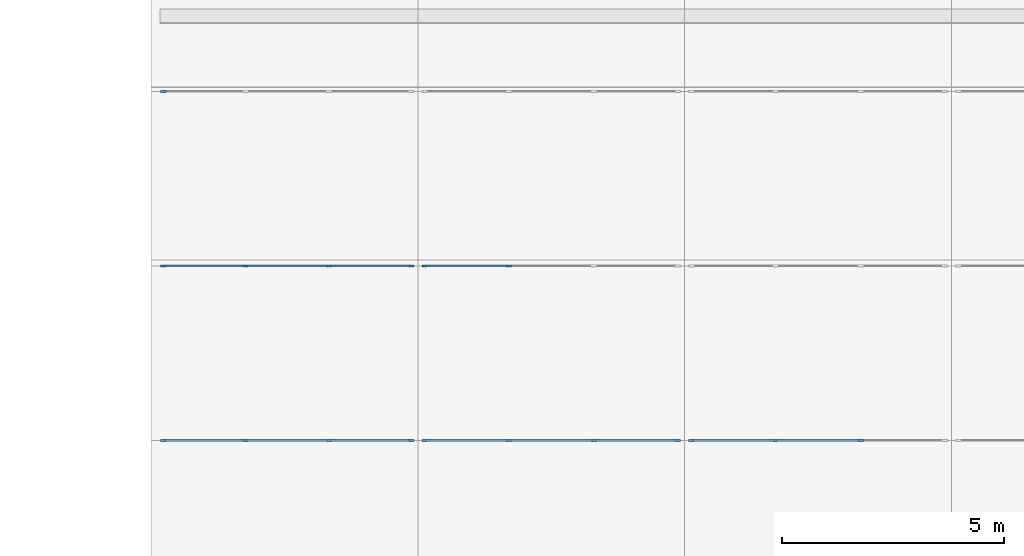
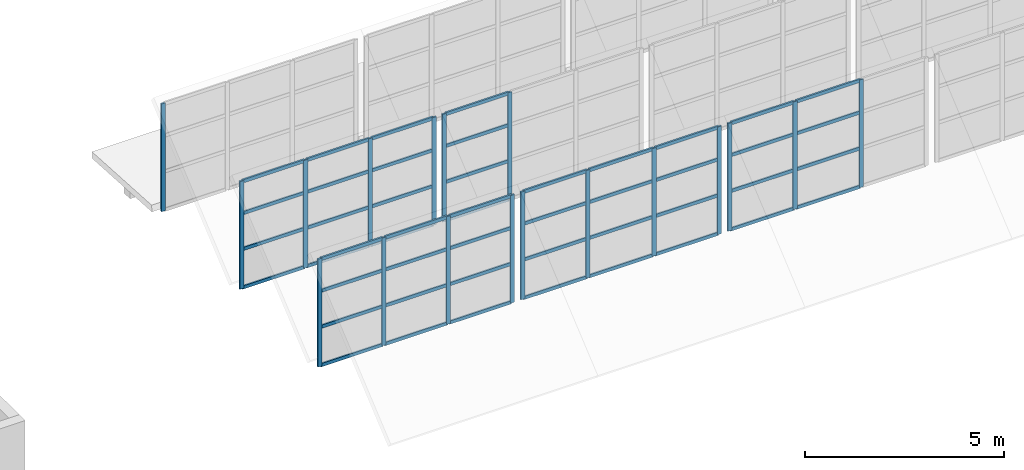
# One storey, part 25 of 122: 66 members, 6 elements without a shape of their own.
"""IFC4 building model written with IfcOpenShell, lengths in metres."""

from ifc_helpers import new_model, si_unit, direction, frame, origin, origin_2d, place, context, subcontext, project, spatial, rectangle, extrude, material, layer, layer_set, material_profile, profile_set, type_object, element, aggregate, save


model = new_model("IFC4")

# Units and contexts
model_context = context("Model", 3, precision=1e-05, world=origin(), true_north=direction((0.0, 1.0)))
body_context = subcontext(model_context, "Body", "Model", "MODEL_VIEW")
ifc_project = project(units=[si_unit("LENGTHUNIT", "METRE"), si_unit("AREAUNIT", "SQUARE_METRE"), si_unit("VOLUMEUNIT", "CUBIC_METRE"), si_unit("PLANEANGLEUNIT", "RADIAN"), si_unit("MASSUNIT", "GRAM", prefix="KILO")], contexts=[model_context])

# Site, building, storey
site_placement = place(None, origin())
site = spatial("IfcSite", under=ifc_project, at=site_placement, CompositionType="ELEMENT")
building_placement = place(site_placement, origin())
building = spatial("IfcBuilding", under=site, at=building_placement, Name="Ridgestep Commons", CompositionType="ELEMENT")
storey_placement = place(building_placement, frame((0.0, 0.0, 3.0)))
storey = spatial("IfcBuildingStorey", under=building, at=storey_placement, Name="L01", CompositionType="ELEMENT", Elevation=3.0)

# Curtain wall, members
ifc_material_1 = material(Name="Aluminium and glass", Category="aluminium")
ifc_layer = layer(ifc_material_1, 0.14990234375)
ifc_layer_set = layer_set([ifc_layer], Name="Shop clerestory curtain wall")
curtain_wall_type = type_object("IfcCurtainWallType", Name="Shop clerestory curtain wall", PredefinedType="NOTDEFINED", material=ifc_layer_set)
curtain_wall_1_placement = place(storey_placement, origin())
curtain_wall_1 = element("IfcCurtainWall", 1, at=curtain_wall_1_placement, inside=storey, type_object=curtain_wall_type, Name="Shop clerestory curtain wall", PredefinedType="NOTDEFINED")
ifc_material_2 = material(Name="Aluminium", Category="aluminium")
ifc_material_profile_1 = material_profile(ifc_material_2, rectangle(XDim=0.050048828125, YDim=0.1201171875, at=origin_2d()), Name="Shop clerestory mullion 50 x 120")
ifc_profile_set_1 = profile_set([ifc_material_profile_1], Name="Aluminium")
member_type_1 = type_object("IfcMemberType", Name="Shop clerestory mullion 50 x 120", PredefinedType="MULLION", material=ifc_profile_set_1)
member_1_placement = place(storey_placement, frame((176.074951171875, 38.050048828125, 1.199951171875), z_axis=(0.0, 0.0, 1.0), x_axis=(0.0, 1.0, 0.0)))
member_1 = element("IfcMember", 2, at=member_1_placement, type_object=member_type_1, Name="CW5 mullion 1", PredefinedType="MULLION", context=body_context, shape_type="SweptSolid", body=[
    extrude(rectangle(XDim=0.050048828125, YDim=0.1201171875, at=origin_2d()), origin(), (0.0, 0.0, 1.0), 3.300048828125),
])
member_2_placement = place(storey_placement, frame((177.925048828125, 38.050048828125, 1.199951171875), z_axis=(0.0, 0.0, 1.0), x_axis=(0.0, 1.0, 0.0)))
member_2 = element("IfcMember", 3, at=member_2_placement, type_object=member_type_1, Name="CW5 mullion 2", PredefinedType="MULLION", context=body_context, shape_type="SweptSolid", body=[
    extrude(rectangle(XDim=0.050048828125, YDim=0.1201171875, at=origin_2d()), origin(), (0.0, 0.0, 1.0), 3.300048828125),
])
member_3_placement = place(storey_placement, frame((179.800048828125, 38.050048828125, 1.199951171875), z_axis=(0.0, 0.0, 1.0), x_axis=(0.0, 1.0, 0.0)))
member_3 = element("IfcMember", 4, at=member_3_placement, type_object=member_type_1, Name="CW5 mullion 3", PredefinedType="MULLION", context=body_context, shape_type="SweptSolid", body=[
    extrude(rectangle(XDim=0.050048828125, YDim=0.1201171875, at=origin_2d()), origin(), (0.0, 0.0, 1.0), 3.300048828125),
])
member_4_placement = place(storey_placement, frame((181.64990234375, 38.050048828125, 1.199951171875), z_axis=(0.0, 0.0, 1.0), x_axis=(0.0, 1.0, 0.0)))
member_4 = element("IfcMember", 5, at=member_4_placement, type_object=member_type_1, Name="CW5 mullion 4", PredefinedType="MULLION", context=body_context, shape_type="SweptSolid", body=[
    extrude(rectangle(XDim=0.050048828125, YDim=0.1201171875, at=origin_2d()), origin(), (0.0, 0.0, 1.0), 3.300048828125),
])

curtain_wall_2_placement = place(storey_placement, origin())
curtain_wall_2 = element("IfcCurtainWall", 6, at=curtain_wall_2_placement, inside=storey, type_object=curtain_wall_type, Name="Shop clerestory curtain wall", PredefinedType="NOTDEFINED")
member_5_placement = place(storey_placement, frame((176.074951171875, 41.97509765625, 1.199951171875), z_axis=(0.0, 0.0, 1.0), x_axis=(0.0, 1.0, 0.0)))
member_5 = element("IfcMember", 7, at=member_5_placement, type_object=member_type_1, Name="CW5 mullion 1", PredefinedType="MULLION", context=body_context, shape_type="SweptSolid", body=[
    extrude(rectangle(XDim=0.050048828125, YDim=0.1201171875, at=origin_2d()), origin(), (0.0, 0.0, 1.0), 3.300048828125),
])
member_6_placement = place(storey_placement, frame((177.925048828125, 41.97509765625, 1.199951171875), z_axis=(0.0, 0.0, 1.0), x_axis=(0.0, 1.0, 0.0)))
member_6 = element("IfcMember", 8, at=member_6_placement, type_object=member_type_1, Name="CW5 mullion 2", PredefinedType="MULLION", context=body_context, shape_type="SweptSolid", body=[
    extrude(rectangle(XDim=0.050048828125, YDim=0.1201171875, at=origin_2d()), origin(), (0.0, 0.0, 1.0), 3.300048828125),
])
member_7_placement = place(storey_placement, frame((179.800048828125, 41.97509765625, 1.199951171875), z_axis=(0.0, 0.0, 1.0), x_axis=(0.0, 1.0, 0.0)))
member_7 = element("IfcMember", 9, at=member_7_placement, type_object=member_type_1, Name="CW5 mullion 3", PredefinedType="MULLION", context=body_context, shape_type="SweptSolid", body=[
    extrude(rectangle(XDim=0.050048828125, YDim=0.1201171875, at=origin_2d()), origin(), (0.0, 0.0, 1.0), 3.300048828125),
])
member_8_placement = place(storey_placement, frame((181.64990234375, 41.97509765625, 1.199951171875), z_axis=(0.0, 0.0, 1.0), x_axis=(0.0, 1.0, 0.0)))
member_8 = element("IfcMember", 10, at=member_8_placement, type_object=member_type_1, Name="CW5 mullion 4", PredefinedType="MULLION", context=body_context, shape_type="SweptSolid", body=[
    extrude(rectangle(XDim=0.050048828125, YDim=0.1201171875, at=origin_2d()), origin(), (0.0, 0.0, 1.0), 3.300048828125),
])

# Curtain wall, member
curtain_wall_3_placement = place(storey_placement, origin())
curtain_wall_3 = element("IfcCurtainWall", 11, at=curtain_wall_3_placement, inside=storey, type_object=curtain_wall_type, Name="Shop clerestory curtain wall", PredefinedType="NOTDEFINED")
member_9_placement = place(storey_placement, frame((176.074951171875, 45.89990234375, 1.199951171875), z_axis=(0.0, 0.0, 1.0), x_axis=(0.0, 1.0, 0.0)))
member_9 = element("IfcMember", 12, at=member_9_placement, type_object=member_type_1, Name="CW5 mullion 1", PredefinedType="MULLION", context=body_context, shape_type="SweptSolid", body=[
    extrude(rectangle(XDim=0.050048828125, YDim=0.1201171875, at=origin_2d()), origin(), (0.0, 0.0, 1.0), 3.300048828125),
])
aggregate(curtain_wall_3, [member_9])

# Curtain wall, members
curtain_wall_4_placement = place(storey_placement, origin())
curtain_wall_4 = element("IfcCurtainWall", 13, at=curtain_wall_4_placement, inside=storey, type_object=curtain_wall_type, Name="Shop clerestory curtain wall", PredefinedType="NOTDEFINED")
member_10_placement = place(storey_placement, frame((181.949951171875, 38.050048828125, 1.199951171875), z_axis=(0.0, 0.0, 1.0), x_axis=(0.0, 1.0, 0.0)))
member_10 = element("IfcMember", 14, at=member_10_placement, type_object=member_type_1, Name="CW5 mullion 1", PredefinedType="MULLION", context=body_context, shape_type="SweptSolid", body=[
    extrude(rectangle(XDim=0.050048828125, YDim=0.1201171875, at=origin_2d()), origin(), (0.0, 0.0, 1.0), 3.300048828125),
])
member_11_placement = place(storey_placement, frame((183.841552734375, 38.050048828125, 1.199951171875), z_axis=(0.0, 0.0, 1.0), x_axis=(0.0, 1.0, 0.0)))
member_11 = element("IfcMember", 15, at=member_11_placement, type_object=member_type_1, Name="CW5 mullion 2", PredefinedType="MULLION", context=body_context, shape_type="SweptSolid", body=[
    extrude(rectangle(XDim=0.050048828125, YDim=0.1201171875, at=origin_2d()), origin(), (0.0, 0.0, 1.0), 3.300048828125),
])
member_12_placement = place(storey_placement, frame((185.75830078125, 38.050048828125, 1.199951171875), z_axis=(0.0, 0.0, 1.0), x_axis=(0.0, 1.0, 0.0)))
member_12 = element("IfcMember", 16, at=member_12_placement, type_object=member_type_1, Name="CW5 mullion 3", PredefinedType="MULLION", context=body_context, shape_type="SweptSolid", body=[
    extrude(rectangle(XDim=0.050048828125, YDim=0.1201171875, at=origin_2d()), origin(), (0.0, 0.0, 1.0), 3.300048828125),
])
member_13_placement = place(storey_placement, frame((187.64990234375, 38.050048828125, 1.199951171875), z_axis=(0.0, 0.0, 1.0), x_axis=(0.0, 1.0, 0.0)))
member_13 = element("IfcMember", 17, at=member_13_placement, type_object=member_type_1, Name="CW5 mullion 4", PredefinedType="MULLION", context=body_context, shape_type="SweptSolid", body=[
    extrude(rectangle(XDim=0.050048828125, YDim=0.1201171875, at=origin_2d()), origin(), (0.0, 0.0, 1.0), 3.300048828125),
])

curtain_wall_5_placement = place(storey_placement, origin())
curtain_wall_5 = element("IfcCurtainWall", 18, at=curtain_wall_5_placement, inside=storey, type_object=curtain_wall_type, Name="Shop clerestory curtain wall", PredefinedType="NOTDEFINED")
member_14_placement = place(storey_placement, frame((181.949951171875, 41.97509765625, 1.199951171875), z_axis=(0.0, 0.0, 1.0), x_axis=(0.0, 1.0, 0.0)))
member_14 = element("IfcMember", 19, at=member_14_placement, type_object=member_type_1, Name="CW5 mullion 1", PredefinedType="MULLION", context=body_context, shape_type="SweptSolid", body=[
    extrude(rectangle(XDim=0.050048828125, YDim=0.1201171875, at=origin_2d()), origin(), (0.0, 0.0, 1.0), 3.300048828125),
])
member_15_placement = place(storey_placement, frame((183.841552734375, 41.97509765625, 1.199951171875), z_axis=(0.0, 0.0, 1.0), x_axis=(0.0, 1.0, 0.0)))
member_15 = element("IfcMember", 20, at=member_15_placement, type_object=member_type_1, Name="CW5 mullion 2", PredefinedType="MULLION", context=body_context, shape_type="SweptSolid", body=[
    extrude(rectangle(XDim=0.050048828125, YDim=0.1201171875, at=origin_2d()), origin(), (0.0, 0.0, 1.0), 3.300048828125),
])

curtain_wall_6_placement = place(storey_placement, origin())
curtain_wall_6 = element("IfcCurtainWall", 21, at=curtain_wall_6_placement, inside=storey, type_object=curtain_wall_type, Name="Shop clerestory curtain wall", PredefinedType="NOTDEFINED")
member_16_placement = place(storey_placement, frame((187.949951171875, 38.050048828125, 1.199951171875), z_axis=(0.0, 0.0, 1.0), x_axis=(0.0, 1.0, 0.0)))
member_16 = element("IfcMember", 22, at=member_16_placement, type_object=member_type_1, Name="CW5 mullion 1", PredefinedType="MULLION", context=body_context, shape_type="SweptSolid", body=[
    extrude(rectangle(XDim=0.050048828125, YDim=0.1201171875, at=origin_2d()), origin(), (0.0, 0.0, 1.0), 3.300048828125),
])
member_17_placement = place(storey_placement, frame((189.841552734375, 38.050048828125, 1.199951171875), z_axis=(0.0, 0.0, 1.0), x_axis=(0.0, 1.0, 0.0)))
member_17 = element("IfcMember", 23, at=member_17_placement, type_object=member_type_1, Name="CW5 mullion 2", PredefinedType="MULLION", context=body_context, shape_type="SweptSolid", body=[
    extrude(rectangle(XDim=0.050048828125, YDim=0.1201171875, at=origin_2d()), origin(), (0.0, 0.0, 1.0), 3.300048828125),
])
member_18_placement = place(storey_placement, frame((191.75830078125, 38.050048828125, 1.199951171875), z_axis=(0.0, 0.0, 1.0), x_axis=(0.0, 1.0, 0.0)))
member_18 = element("IfcMember", 24, at=member_18_placement, type_object=member_type_1, Name="CW5 mullion 3", PredefinedType="MULLION", context=body_context, shape_type="SweptSolid", body=[
    extrude(rectangle(XDim=0.050048828125, YDim=0.1201171875, at=origin_2d()), origin(), (0.0, 0.0, 1.0), 3.300048828125),
])

# Member
ifc_material_3 = material(Name="Aluminium", Category="aluminium")
ifc_material_profile_2 = material_profile(ifc_material_3, rectangle(XDim=0.050048828125, YDim=0.10009765625, at=origin_2d()), Name="Shop clerestory transom 50 x 100")
ifc_profile_set_2 = profile_set([ifc_material_profile_2], Name="Aluminium")
member_type_2 = type_object("IfcMemberType", Name="Shop clerestory transom 50 x 100", PredefinedType="USERDEFINED", material=ifc_profile_set_2)
member_19_placement = place(storey_placement, frame((176.10009765625, 38.050048828125, 1.22509765625), z_axis=(1.0, 0.0, 0.0), x_axis=(0.0, 1.0, 0.0)))
member_19 = element("IfcMember", 25, at=member_19_placement, type_object=member_type_2, Name="CW5 transom 1.1", ObjectType="TRANSOM", PredefinedType="USERDEFINED", context=body_context, shape_type="SweptSolid", body=[
    extrude(rectangle(XDim=0.050048828125, YDim=0.10009765625, at=origin_2d()), origin(), (0.0, 0.0, 1.0), 1.7998046875),
])

member_20_placement = place(storey_placement, frame((176.10009765625, 38.050048828125, 2.39990234375), z_axis=(1.0, 0.0, 0.0), x_axis=(0.0, 1.0, 0.0)))
member_20 = element("IfcMember", 26, at=member_20_placement, type_object=member_type_2, Name="CW5 transom 1.2", ObjectType="TRANSOM", PredefinedType="USERDEFINED", context=body_context, shape_type="SweptSolid", body=[
    extrude(rectangle(XDim=0.050048828125, YDim=0.10009765625, at=origin_2d()), origin(), (0.0, 0.0, 1.0), 1.7998046875),
])

member_21_placement = place(storey_placement, frame((176.10009765625, 38.050048828125, 3.5), z_axis=(1.0, 0.0, 0.0), x_axis=(0.0, 1.0, 0.0)))
member_21 = element("IfcMember", 27, at=member_21_placement, type_object=member_type_2, Name="CW5 transom 1.3", ObjectType="TRANSOM", PredefinedType="USERDEFINED", context=body_context, shape_type="SweptSolid", body=[
    extrude(rectangle(XDim=0.050048828125, YDim=0.10009765625, at=origin_2d()), origin(), (0.0, 0.0, 1.0), 1.7998046875),
])

member_22_placement = place(storey_placement, frame((176.10009765625, 38.050048828125, 4.47509765625), z_axis=(1.0, 0.0, 0.0), x_axis=(0.0, 1.0, 0.0)))
member_22 = element("IfcMember", 28, at=member_22_placement, type_object=member_type_2, Name="CW5 transom 1.4", ObjectType="TRANSOM", PredefinedType="USERDEFINED", context=body_context, shape_type="SweptSolid", body=[
    extrude(rectangle(XDim=0.050048828125, YDim=0.10009765625, at=origin_2d()), origin(), (0.0, 0.0, 1.0), 1.7998046875),
])

member_23_placement = place(storey_placement, frame((177.949951171875, 38.050048828125, 1.22509765625), z_axis=(1.0, 0.0, 0.0), x_axis=(0.0, 1.0, 0.0)))
member_23 = element("IfcMember", 29, at=member_23_placement, type_object=member_type_2, Name="CW5 transom 2.1", ObjectType="TRANSOM", PredefinedType="USERDEFINED", context=body_context, shape_type="SweptSolid", body=[
    extrude(rectangle(XDim=0.050048828125, YDim=0.10009765625, at=origin_2d()), origin(), (0.0, 0.0, 1.0), 1.824951171875),
])

member_24_placement = place(storey_placement, frame((177.949951171875, 38.050048828125, 2.39990234375), z_axis=(1.0, 0.0, 0.0), x_axis=(0.0, 1.0, 0.0)))
member_24 = element("IfcMember", 30, at=member_24_placement, type_object=member_type_2, Name="CW5 transom 2.2", ObjectType="TRANSOM", PredefinedType="USERDEFINED", context=body_context, shape_type="SweptSolid", body=[
    extrude(rectangle(XDim=0.050048828125, YDim=0.10009765625, at=origin_2d()), origin(), (0.0, 0.0, 1.0), 1.824951171875),
])

member_25_placement = place(storey_placement, frame((177.949951171875, 38.050048828125, 3.5), z_axis=(1.0, 0.0, 0.0), x_axis=(0.0, 1.0, 0.0)))
member_25 = element("IfcMember", 31, at=member_25_placement, type_object=member_type_2, Name="CW5 transom 2.3", ObjectType="TRANSOM", PredefinedType="USERDEFINED", context=body_context, shape_type="SweptSolid", body=[
    extrude(rectangle(XDim=0.050048828125, YDim=0.10009765625, at=origin_2d()), origin(), (0.0, 0.0, 1.0), 1.824951171875),
])

member_26_placement = place(storey_placement, frame((177.949951171875, 38.050048828125, 4.47509765625), z_axis=(1.0, 0.0, 0.0), x_axis=(0.0, 1.0, 0.0)))
member_26 = element("IfcMember", 32, at=member_26_placement, type_object=member_type_2, Name="CW5 transom 2.4", ObjectType="TRANSOM", PredefinedType="USERDEFINED", context=body_context, shape_type="SweptSolid", body=[
    extrude(rectangle(XDim=0.050048828125, YDim=0.10009765625, at=origin_2d()), origin(), (0.0, 0.0, 1.0), 1.824951171875),
])

member_27_placement = place(storey_placement, frame((179.824951171875, 38.050048828125, 1.22509765625), z_axis=(1.0, 0.0, 0.0), x_axis=(0.0, 1.0, 0.0)))
member_27 = element("IfcMember", 33, at=member_27_placement, type_object=member_type_2, Name="CW5 transom 3.1", ObjectType="TRANSOM", PredefinedType="USERDEFINED", context=body_context, shape_type="SweptSolid", body=[
    extrude(rectangle(XDim=0.050048828125, YDim=0.10009765625, at=origin_2d()), origin(), (0.0, 0.0, 1.0), 1.800048828125),
])

member_28_placement = place(storey_placement, frame((179.824951171875, 38.050048828125, 2.39990234375), z_axis=(1.0, 0.0, 0.0), x_axis=(0.0, 1.0, 0.0)))
member_28 = element("IfcMember", 34, at=member_28_placement, type_object=member_type_2, Name="CW5 transom 3.2", ObjectType="TRANSOM", PredefinedType="USERDEFINED", context=body_context, shape_type="SweptSolid", body=[
    extrude(rectangle(XDim=0.050048828125, YDim=0.10009765625, at=origin_2d()), origin(), (0.0, 0.0, 1.0), 1.800048828125),
])

member_29_placement = place(storey_placement, frame((179.824951171875, 38.050048828125, 3.5), z_axis=(1.0, 0.0, 0.0), x_axis=(0.0, 1.0, 0.0)))
member_29 = element("IfcMember", 35, at=member_29_placement, type_object=member_type_2, Name="CW5 transom 3.3", ObjectType="TRANSOM", PredefinedType="USERDEFINED", context=body_context, shape_type="SweptSolid", body=[
    extrude(rectangle(XDim=0.050048828125, YDim=0.10009765625, at=origin_2d()), origin(), (0.0, 0.0, 1.0), 1.800048828125),
])

member_30_placement = place(storey_placement, frame((179.824951171875, 38.050048828125, 4.47509765625), z_axis=(1.0, 0.0, 0.0), x_axis=(0.0, 1.0, 0.0)))
member_30 = element("IfcMember", 36, at=member_30_placement, type_object=member_type_2, Name="CW5 transom 3.4", ObjectType="TRANSOM", PredefinedType="USERDEFINED", context=body_context, shape_type="SweptSolid", body=[
    extrude(rectangle(XDim=0.050048828125, YDim=0.10009765625, at=origin_2d()), origin(), (0.0, 0.0, 1.0), 1.800048828125),
])

aggregate(curtain_wall_1, [member_1, member_2, member_3, member_4, member_19, member_20, member_21, member_22, member_23, member_24, member_25, member_26, member_27, member_28, member_29, member_30])

member_31_placement = place(storey_placement, frame((176.10009765625, 41.97509765625, 1.22509765625), z_axis=(1.0, 0.0, 0.0), x_axis=(0.0, 1.0, 0.0)))
member_31 = element("IfcMember", 37, at=member_31_placement, type_object=member_type_2, Name="CW5 transom 1.1", ObjectType="TRANSOM", PredefinedType="USERDEFINED", context=body_context, shape_type="SweptSolid", body=[
    extrude(rectangle(XDim=0.050048828125, YDim=0.10009765625, at=origin_2d()), origin(), (0.0, 0.0, 1.0), 1.7998046875),
])

member_32_placement = place(storey_placement, frame((176.10009765625, 41.97509765625, 2.39990234375), z_axis=(1.0, 0.0, 0.0), x_axis=(0.0, 1.0, 0.0)))
member_32 = element("IfcMember", 38, at=member_32_placement, type_object=member_type_2, Name="CW5 transom 1.2", ObjectType="TRANSOM", PredefinedType="USERDEFINED", context=body_context, shape_type="SweptSolid", body=[
    extrude(rectangle(XDim=0.050048828125, YDim=0.10009765625, at=origin_2d()), origin(), (0.0, 0.0, 1.0), 1.7998046875),
])

member_33_placement = place(storey_placement, frame((176.10009765625, 41.97509765625, 3.5), z_axis=(1.0, 0.0, 0.0), x_axis=(0.0, 1.0, 0.0)))
member_33 = element("IfcMember", 39, at=member_33_placement, type_object=member_type_2, Name="CW5 transom 1.3", ObjectType="TRANSOM", PredefinedType="USERDEFINED", context=body_context, shape_type="SweptSolid", body=[
    extrude(rectangle(XDim=0.050048828125, YDim=0.10009765625, at=origin_2d()), origin(), (0.0, 0.0, 1.0), 1.7998046875),
])

member_34_placement = place(storey_placement, frame((176.10009765625, 41.97509765625, 4.47509765625), z_axis=(1.0, 0.0, 0.0), x_axis=(0.0, 1.0, 0.0)))
member_34 = element("IfcMember", 40, at=member_34_placement, type_object=member_type_2, Name="CW5 transom 1.4", ObjectType="TRANSOM", PredefinedType="USERDEFINED", context=body_context, shape_type="SweptSolid", body=[
    extrude(rectangle(XDim=0.050048828125, YDim=0.10009765625, at=origin_2d()), origin(), (0.0, 0.0, 1.0), 1.7998046875),
])

member_35_placement = place(storey_placement, frame((177.949951171875, 41.97509765625, 1.22509765625), z_axis=(1.0, 0.0, 0.0), x_axis=(0.0, 1.0, 0.0)))
member_35 = element("IfcMember", 41, at=member_35_placement, type_object=member_type_2, Name="CW5 transom 2.1", ObjectType="TRANSOM", PredefinedType="USERDEFINED", context=body_context, shape_type="SweptSolid", body=[
    extrude(rectangle(XDim=0.050048828125, YDim=0.10009765625, at=origin_2d()), origin(), (0.0, 0.0, 1.0), 1.824951171875),
])

member_36_placement = place(storey_placement, frame((177.949951171875, 41.97509765625, 2.39990234375), z_axis=(1.0, 0.0, 0.0), x_axis=(0.0, 1.0, 0.0)))
member_36 = element("IfcMember", 42, at=member_36_placement, type_object=member_type_2, Name="CW5 transom 2.2", ObjectType="TRANSOM", PredefinedType="USERDEFINED", context=body_context, shape_type="SweptSolid", body=[
    extrude(rectangle(XDim=0.050048828125, YDim=0.10009765625, at=origin_2d()), origin(), (0.0, 0.0, 1.0), 1.824951171875),
])

member_37_placement = place(storey_placement, frame((177.949951171875, 41.97509765625, 3.5), z_axis=(1.0, 0.0, 0.0), x_axis=(0.0, 1.0, 0.0)))
member_37 = element("IfcMember", 43, at=member_37_placement, type_object=member_type_2, Name="CW5 transom 2.3", ObjectType="TRANSOM", PredefinedType="USERDEFINED", context=body_context, shape_type="SweptSolid", body=[
    extrude(rectangle(XDim=0.050048828125, YDim=0.10009765625, at=origin_2d()), origin(), (0.0, 0.0, 1.0), 1.824951171875),
])

member_38_placement = place(storey_placement, frame((177.949951171875, 41.97509765625, 4.47509765625), z_axis=(1.0, 0.0, 0.0), x_axis=(0.0, 1.0, 0.0)))
member_38 = element("IfcMember", 44, at=member_38_placement, type_object=member_type_2, Name="CW5 transom 2.4", ObjectType="TRANSOM", PredefinedType="USERDEFINED", context=body_context, shape_type="SweptSolid", body=[
    extrude(rectangle(XDim=0.050048828125, YDim=0.10009765625, at=origin_2d()), origin(), (0.0, 0.0, 1.0), 1.824951171875),
])

member_39_placement = place(storey_placement, frame((179.824951171875, 41.97509765625, 1.22509765625), z_axis=(1.0, 0.0, 0.0), x_axis=(0.0, 1.0, 0.0)))
member_39 = element("IfcMember", 45, at=member_39_placement, type_object=member_type_2, Name="CW5 transom 3.1", ObjectType="TRANSOM", PredefinedType="USERDEFINED", context=body_context, shape_type="SweptSolid", body=[
    extrude(rectangle(XDim=0.050048828125, YDim=0.10009765625, at=origin_2d()), origin(), (0.0, 0.0, 1.0), 1.800048828125),
])

member_40_placement = place(storey_placement, frame((179.824951171875, 41.97509765625, 2.39990234375), z_axis=(1.0, 0.0, 0.0), x_axis=(0.0, 1.0, 0.0)))
member_40 = element("IfcMember", 46, at=member_40_placement, type_object=member_type_2, Name="CW5 transom 3.2", ObjectType="TRANSOM", PredefinedType="USERDEFINED", context=body_context, shape_type="SweptSolid", body=[
    extrude(rectangle(XDim=0.050048828125, YDim=0.10009765625, at=origin_2d()), origin(), (0.0, 0.0, 1.0), 1.800048828125),
])

member_41_placement = place(storey_placement, frame((179.824951171875, 41.97509765625, 3.5), z_axis=(1.0, 0.0, 0.0), x_axis=(0.0, 1.0, 0.0)))
member_41 = element("IfcMember", 47, at=member_41_placement, type_object=member_type_2, Name="CW5 transom 3.3", ObjectType="TRANSOM", PredefinedType="USERDEFINED", context=body_context, shape_type="SweptSolid", body=[
    extrude(rectangle(XDim=0.050048828125, YDim=0.10009765625, at=origin_2d()), origin(), (0.0, 0.0, 1.0), 1.800048828125),
])

member_42_placement = place(storey_placement, frame((179.824951171875, 41.97509765625, 4.47509765625), z_axis=(1.0, 0.0, 0.0), x_axis=(0.0, 1.0, 0.0)))
member_42 = element("IfcMember", 48, at=member_42_placement, type_object=member_type_2, Name="CW5 transom 3.4", ObjectType="TRANSOM", PredefinedType="USERDEFINED", context=body_context, shape_type="SweptSolid", body=[
    extrude(rectangle(XDim=0.050048828125, YDim=0.10009765625, at=origin_2d()), origin(), (0.0, 0.0, 1.0), 1.800048828125),
])

aggregate(curtain_wall_2, [member_5, member_6, member_7, member_8, member_31, member_32, member_33, member_34, member_35, member_36, member_37, member_38, member_39, member_40, member_41, member_42])

member_43_placement = place(storey_placement, frame((181.97509765625, 38.050048828125, 1.22509765625), z_axis=(1.0, 0.0, 0.0), x_axis=(0.0, 1.0, 0.0)))
member_43 = element("IfcMember", 49, at=member_43_placement, type_object=member_type_2, Name="CW5 transom 1.1", ObjectType="TRANSOM", PredefinedType="USERDEFINED", context=body_context, shape_type="SweptSolid", body=[
    extrude(rectangle(XDim=0.050048828125, YDim=0.10009765625, at=origin_2d()), origin(), (0.0, 0.0, 1.0), 1.841552734375),
])

member_44_placement = place(storey_placement, frame((181.97509765625, 38.050048828125, 2.39990234375), z_axis=(1.0, 0.0, 0.0), x_axis=(0.0, 1.0, 0.0)))
member_44 = element("IfcMember", 50, at=member_44_placement, type_object=member_type_2, Name="CW5 transom 1.2", ObjectType="TRANSOM", PredefinedType="USERDEFINED", context=body_context, shape_type="SweptSolid", body=[
    extrude(rectangle(XDim=0.050048828125, YDim=0.10009765625, at=origin_2d()), origin(), (0.0, 0.0, 1.0), 1.841552734375),
])

member_45_placement = place(storey_placement, frame((181.97509765625, 38.050048828125, 3.5), z_axis=(1.0, 0.0, 0.0), x_axis=(0.0, 1.0, 0.0)))
member_45 = element("IfcMember", 51, at=member_45_placement, type_object=member_type_2, Name="CW5 transom 1.3", ObjectType="TRANSOM", PredefinedType="USERDEFINED", context=body_context, shape_type="SweptSolid", body=[
    extrude(rectangle(XDim=0.050048828125, YDim=0.10009765625, at=origin_2d()), origin(), (0.0, 0.0, 1.0), 1.841552734375),
])

member_46_placement = place(storey_placement, frame((181.97509765625, 38.050048828125, 4.47509765625), z_axis=(1.0, 0.0, 0.0), x_axis=(0.0, 1.0, 0.0)))
member_46 = element("IfcMember", 52, at=member_46_placement, type_object=member_type_2, Name="CW5 transom 1.4", ObjectType="TRANSOM", PredefinedType="USERDEFINED", context=body_context, shape_type="SweptSolid", body=[
    extrude(rectangle(XDim=0.050048828125, YDim=0.10009765625, at=origin_2d()), origin(), (0.0, 0.0, 1.0), 1.841552734375),
])

member_47_placement = place(storey_placement, frame((183.86669921875, 38.050048828125, 1.22509765625), z_axis=(1.0, 0.0, 0.0), x_axis=(0.0, 1.0, 0.0)))
member_47 = element("IfcMember", 53, at=member_47_placement, type_object=member_type_2, Name="CW5 transom 2.1", ObjectType="TRANSOM", PredefinedType="USERDEFINED", context=body_context, shape_type="SweptSolid", body=[
    extrude(rectangle(XDim=0.050048828125, YDim=0.10009765625, at=origin_2d()), origin(), (0.0, 0.0, 1.0), 1.86669921875),
])

member_48_placement = place(storey_placement, frame((183.86669921875, 38.050048828125, 2.39990234375), z_axis=(1.0, 0.0, 0.0), x_axis=(0.0, 1.0, 0.0)))
member_48 = element("IfcMember", 54, at=member_48_placement, type_object=member_type_2, Name="CW5 transom 2.2", ObjectType="TRANSOM", PredefinedType="USERDEFINED", context=body_context, shape_type="SweptSolid", body=[
    extrude(rectangle(XDim=0.050048828125, YDim=0.10009765625, at=origin_2d()), origin(), (0.0, 0.0, 1.0), 1.86669921875),
])

member_49_placement = place(storey_placement, frame((183.86669921875, 38.050048828125, 3.5), z_axis=(1.0, 0.0, 0.0), x_axis=(0.0, 1.0, 0.0)))
member_49 = element("IfcMember", 55, at=member_49_placement, type_object=member_type_2, Name="CW5 transom 2.3", ObjectType="TRANSOM", PredefinedType="USERDEFINED", context=body_context, shape_type="SweptSolid", body=[
    extrude(rectangle(XDim=0.050048828125, YDim=0.10009765625, at=origin_2d()), origin(), (0.0, 0.0, 1.0), 1.86669921875),
])

member_50_placement = place(storey_placement, frame((183.86669921875, 38.050048828125, 4.47509765625), z_axis=(1.0, 0.0, 0.0), x_axis=(0.0, 1.0, 0.0)))
member_50 = element("IfcMember", 56, at=member_50_placement, type_object=member_type_2, Name="CW5 transom 2.4", ObjectType="TRANSOM", PredefinedType="USERDEFINED", context=body_context, shape_type="SweptSolid", body=[
    extrude(rectangle(XDim=0.050048828125, YDim=0.10009765625, at=origin_2d()), origin(), (0.0, 0.0, 1.0), 1.86669921875),
])

member_51_placement = place(storey_placement, frame((185.783447265625, 38.050048828125, 1.22509765625), z_axis=(1.0, 0.0, 0.0), x_axis=(0.0, 1.0, 0.0)))
member_51 = element("IfcMember", 57, at=member_51_placement, type_object=member_type_2, Name="CW5 transom 3.1", ObjectType="TRANSOM", PredefinedType="USERDEFINED", context=body_context, shape_type="SweptSolid", body=[
    extrude(rectangle(XDim=0.050048828125, YDim=0.10009765625, at=origin_2d()), origin(), (0.0, 0.0, 1.0), 1.841552734375),
])

member_52_placement = place(storey_placement, frame((185.783447265625, 38.050048828125, 2.39990234375), z_axis=(1.0, 0.0, 0.0), x_axis=(0.0, 1.0, 0.0)))
member_52 = element("IfcMember", 58, at=member_52_placement, type_object=member_type_2, Name="CW5 transom 3.2", ObjectType="TRANSOM", PredefinedType="USERDEFINED", context=body_context, shape_type="SweptSolid", body=[
    extrude(rectangle(XDim=0.050048828125, YDim=0.10009765625, at=origin_2d()), origin(), (0.0, 0.0, 1.0), 1.841552734375),
])

member_53_placement = place(storey_placement, frame((185.783447265625, 38.050048828125, 3.5), z_axis=(1.0, 0.0, 0.0), x_axis=(0.0, 1.0, 0.0)))
member_53 = element("IfcMember", 59, at=member_53_placement, type_object=member_type_2, Name="CW5 transom 3.3", ObjectType="TRANSOM", PredefinedType="USERDEFINED", context=body_context, shape_type="SweptSolid", body=[
    extrude(rectangle(XDim=0.050048828125, YDim=0.10009765625, at=origin_2d()), origin(), (0.0, 0.0, 1.0), 1.841552734375),
])

member_54_placement = place(storey_placement, frame((185.783447265625, 38.050048828125, 4.47509765625), z_axis=(1.0, 0.0, 0.0), x_axis=(0.0, 1.0, 0.0)))
member_54 = element("IfcMember", 60, at=member_54_placement, type_object=member_type_2, Name="CW5 transom 3.4", ObjectType="TRANSOM", PredefinedType="USERDEFINED", context=body_context, shape_type="SweptSolid", body=[
    extrude(rectangle(XDim=0.050048828125, YDim=0.10009765625, at=origin_2d()), origin(), (0.0, 0.0, 1.0), 1.841552734375),
])

aggregate(curtain_wall_4, [member_10, member_11, member_12, member_13, member_43, member_44, member_45, member_46, member_47, member_48, member_49, member_50, member_51, member_52, member_53, member_54])

member_55_placement = place(storey_placement, frame((181.97509765625, 41.97509765625, 1.22509765625), z_axis=(1.0, 0.0, 0.0), x_axis=(0.0, 1.0, 0.0)))
member_55 = element("IfcMember", 61, at=member_55_placement, type_object=member_type_2, Name="CW5 transom 1.1", ObjectType="TRANSOM", PredefinedType="USERDEFINED", context=body_context, shape_type="SweptSolid", body=[
    extrude(rectangle(XDim=0.050048828125, YDim=0.10009765625, at=origin_2d()), origin(), (0.0, 0.0, 1.0), 1.841552734375),
])

member_56_placement = place(storey_placement, frame((181.97509765625, 41.97509765625, 2.39990234375), z_axis=(1.0, 0.0, 0.0), x_axis=(0.0, 1.0, 0.0)))
member_56 = element("IfcMember", 62, at=member_56_placement, type_object=member_type_2, Name="CW5 transom 1.2", ObjectType="TRANSOM", PredefinedType="USERDEFINED", context=body_context, shape_type="SweptSolid", body=[
    extrude(rectangle(XDim=0.050048828125, YDim=0.10009765625, at=origin_2d()), origin(), (0.0, 0.0, 1.0), 1.841552734375),
])

member_57_placement = place(storey_placement, frame((181.97509765625, 41.97509765625, 3.5), z_axis=(1.0, 0.0, 0.0), x_axis=(0.0, 1.0, 0.0)))
member_57 = element("IfcMember", 63, at=member_57_placement, type_object=member_type_2, Name="CW5 transom 1.3", ObjectType="TRANSOM", PredefinedType="USERDEFINED", context=body_context, shape_type="SweptSolid", body=[
    extrude(rectangle(XDim=0.050048828125, YDim=0.10009765625, at=origin_2d()), origin(), (0.0, 0.0, 1.0), 1.841552734375),
])

member_58_placement = place(storey_placement, frame((181.97509765625, 41.97509765625, 4.47509765625), z_axis=(1.0, 0.0, 0.0), x_axis=(0.0, 1.0, 0.0)))
member_58 = element("IfcMember", 64, at=member_58_placement, type_object=member_type_2, Name="CW5 transom 1.4", ObjectType="TRANSOM", PredefinedType="USERDEFINED", context=body_context, shape_type="SweptSolid", body=[
    extrude(rectangle(XDim=0.050048828125, YDim=0.10009765625, at=origin_2d()), origin(), (0.0, 0.0, 1.0), 1.841552734375),
])

aggregate(curtain_wall_5, [member_14, member_15, member_55, member_56, member_57, member_58])

member_59_placement = place(storey_placement, frame((187.97509765625, 38.050048828125, 1.22509765625), z_axis=(1.0, 0.0, 0.0), x_axis=(0.0, 1.0, 0.0)))
member_59 = element("IfcMember", 65, at=member_59_placement, type_object=member_type_2, Name="CW5 transom 1.1", ObjectType="TRANSOM", PredefinedType="USERDEFINED", context=body_context, shape_type="SweptSolid", body=[
    extrude(rectangle(XDim=0.050048828125, YDim=0.10009765625, at=origin_2d()), origin(), (0.0, 0.0, 1.0), 1.841552734375),
])

member_60_placement = place(storey_placement, frame((187.97509765625, 38.050048828125, 2.39990234375), z_axis=(1.0, 0.0, 0.0), x_axis=(0.0, 1.0, 0.0)))
member_60 = element("IfcMember", 66, at=member_60_placement, type_object=member_type_2, Name="CW5 transom 1.2", ObjectType="TRANSOM", PredefinedType="USERDEFINED", context=body_context, shape_type="SweptSolid", body=[
    extrude(rectangle(XDim=0.050048828125, YDim=0.10009765625, at=origin_2d()), origin(), (0.0, 0.0, 1.0), 1.841552734375),
])

member_61_placement = place(storey_placement, frame((187.97509765625, 38.050048828125, 3.5), z_axis=(1.0, 0.0, 0.0), x_axis=(0.0, 1.0, 0.0)))
member_61 = element("IfcMember", 67, at=member_61_placement, type_object=member_type_2, Name="CW5 transom 1.3", ObjectType="TRANSOM", PredefinedType="USERDEFINED", context=body_context, shape_type="SweptSolid", body=[
    extrude(rectangle(XDim=0.050048828125, YDim=0.10009765625, at=origin_2d()), origin(), (0.0, 0.0, 1.0), 1.841552734375),
])

member_62_placement = place(storey_placement, frame((187.97509765625, 38.050048828125, 4.47509765625), z_axis=(1.0, 0.0, 0.0), x_axis=(0.0, 1.0, 0.0)))
member_62 = element("IfcMember", 68, at=member_62_placement, type_object=member_type_2, Name="CW5 transom 1.4", ObjectType="TRANSOM", PredefinedType="USERDEFINED", context=body_context, shape_type="SweptSolid", body=[
    extrude(rectangle(XDim=0.050048828125, YDim=0.10009765625, at=origin_2d()), origin(), (0.0, 0.0, 1.0), 1.841552734375),
])

member_63_placement = place(storey_placement, frame((189.86669921875, 38.050048828125, 1.22509765625), z_axis=(1.0, 0.0, 0.0), x_axis=(0.0, 1.0, 0.0)))
member_63 = element("IfcMember", 69, at=member_63_placement, type_object=member_type_2, Name="CW5 transom 2.1", ObjectType="TRANSOM", PredefinedType="USERDEFINED", context=body_context, shape_type="SweptSolid", body=[
    extrude(rectangle(XDim=0.050048828125, YDim=0.10009765625, at=origin_2d()), origin(), (0.0, 0.0, 1.0), 1.86669921875),
])

member_64_placement = place(storey_placement, frame((189.86669921875, 38.050048828125, 2.39990234375), z_axis=(1.0, 0.0, 0.0), x_axis=(0.0, 1.0, 0.0)))
member_64 = element("IfcMember", 70, at=member_64_placement, type_object=member_type_2, Name="CW5 transom 2.2", ObjectType="TRANSOM", PredefinedType="USERDEFINED", context=body_context, shape_type="SweptSolid", body=[
    extrude(rectangle(XDim=0.050048828125, YDim=0.10009765625, at=origin_2d()), origin(), (0.0, 0.0, 1.0), 1.86669921875),
])

member_65_placement = place(storey_placement, frame((189.86669921875, 38.050048828125, 3.5), z_axis=(1.0, 0.0, 0.0), x_axis=(0.0, 1.0, 0.0)))
member_65 = element("IfcMember", 71, at=member_65_placement, type_object=member_type_2, Name="CW5 transom 2.3", ObjectType="TRANSOM", PredefinedType="USERDEFINED", context=body_context, shape_type="SweptSolid", body=[
    extrude(rectangle(XDim=0.050048828125, YDim=0.10009765625, at=origin_2d()), origin(), (0.0, 0.0, 1.0), 1.86669921875),
])

member_66_placement = place(storey_placement, frame((189.86669921875, 38.050048828125, 4.47509765625), z_axis=(1.0, 0.0, 0.0), x_axis=(0.0, 1.0, 0.0)))
member_66 = element("IfcMember", 72, at=member_66_placement, type_object=member_type_2, Name="CW5 transom 2.4", ObjectType="TRANSOM", PredefinedType="USERDEFINED", context=body_context, shape_type="SweptSolid", body=[
    extrude(rectangle(XDim=0.050048828125, YDim=0.10009765625, at=origin_2d()), origin(), (0.0, 0.0, 1.0), 1.86669921875),
])

aggregate(curtain_wall_6, [member_16, member_17, member_18, member_59, member_60, member_61, member_62, member_63, member_64, member_65, member_66])

save(model, "model.ifc")
